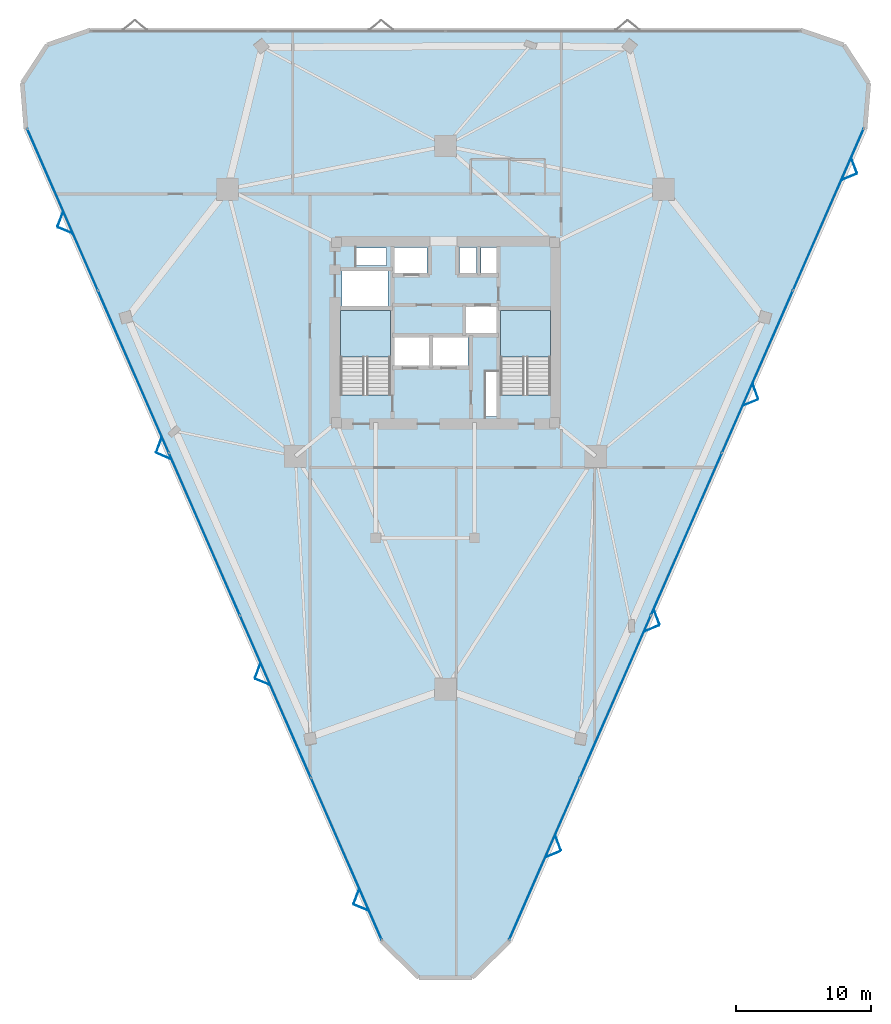
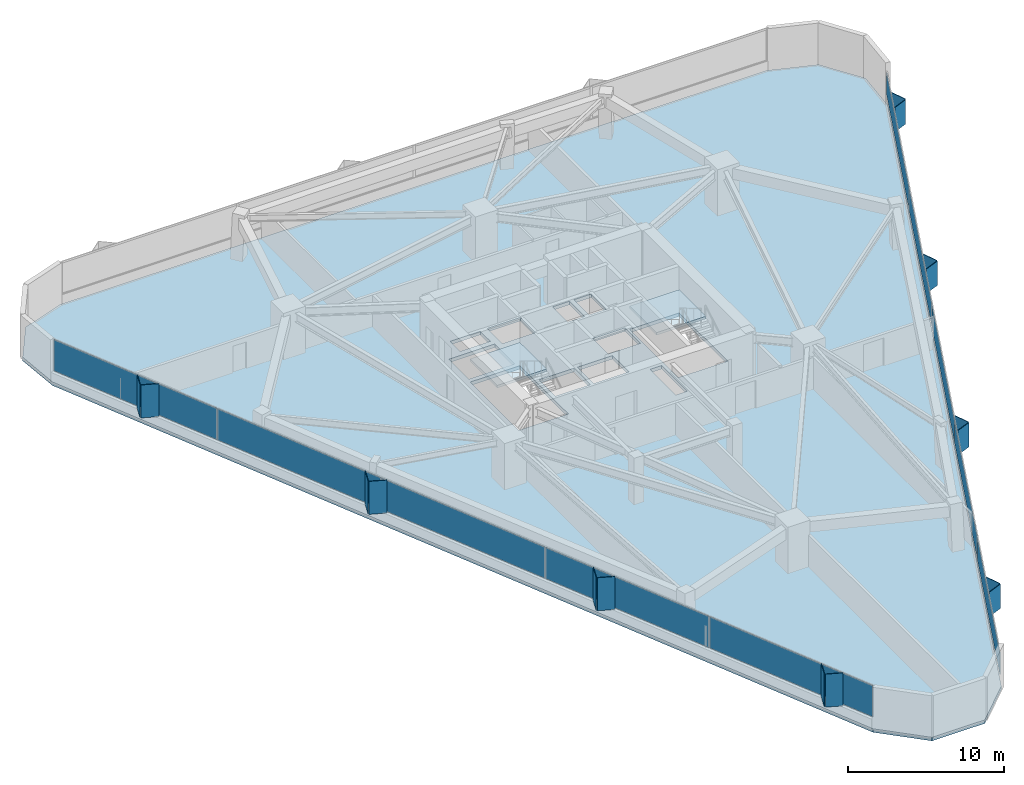
# One storey, part 12 of 17: 26 plates, 3 slabs, 4 elements without a shape of their own.
"""IFC4 building model written with IfcOpenShell, lengths in metres."""

import ifcopenshell
import ifcopenshell.guid

model = None  # the IFC model being written
_history = None  # IfcOwnerHistory: only IFC2X3 demands one
_inside = {}  # id of a spatial element -> (the spatial element, [elements in it])
_under = {}  # id of a project, library or spatial element -> (it, [spatial elements below it])
_declared = {}  # id of a project -> (the project, [libraries it declares])
_typed = {}  # id of a type object -> (the type object, [elements of that type])
_made_of = {}  # id of a material, layer set ... -> (it, [elements and type objects made of it])


def new_model(schema):
    """Start an empty IFC model of exactly this schema.

    Asked for "IFC4X3", IfcOpenShell would pick the latest addendum, in which some entities
    have other attributes; the version numbers below select the first issue.
    IFC2X3 requires an IfcOwnerHistory on every rooted entity: one is made here for all.
    """
    global model, _history
    if schema == "IFC4X3":
        model = ifcopenshell.file(schema_version=(4, 3, 0, 0))
    else:
        model = ifcopenshell.file(schema=schema)
    _inside.clear()
    _under.clear()
    _declared.clear()
    _typed.clear()
    _made_of.clear()
    _history = None
    if model.schema == "IFC2X3":
        org = make("IfcOrganization", Name="unknown")
        user = make(
            "IfcPersonAndOrganization",
            ThePerson=make("IfcPerson", FamilyName="unknown"),
            TheOrganization=org,
        )
        app = make(
            "IfcApplication",
            ApplicationDeveloper=org,
            Version="unknown",
            ApplicationFullName="unknown",
            ApplicationIdentifier="unknown",
        )
        _history = make(
            "IfcOwnerHistory",
            OwningUser=user,
            OwningApplication=app,
            ChangeAction="ADDED",
            CreationDate=0,
        )
    return model


def make(cls, **values):
    """One entity of the class cls with the attributes given. An attribute that is None is left unset."""
    return model.create_entity(
        cls, **{name: value for name, value in values.items() if value is not None}
    )


def rooted(cls, **values):
    """An entity with a GlobalId (a new one), such as an element, a storey or a relation."""
    return make(cls, GlobalId=ifcopenshell.guid.new(), OwnerHistory=_history, **values)


def si_unit(unit_type, name, prefix=None):
    """IfcSIUnit, for example si_unit("LENGTHUNIT", "METRE", prefix="MILLI")."""
    return make("IfcSIUnit", UnitType=unit_type, Prefix=prefix, Name=name)


def assignment(units):
    """IfcUnitAssignment: the units of a project."""
    return None if units is None else make("IfcUnitAssignment", Units=units)


def point(xyz):
    """IfcCartesianPoint."""
    return None if xyz is None else make("IfcCartesianPoint", Coordinates=xyz)


def direction(xyz):
    """IfcDirection."""
    return None if xyz is None else make("IfcDirection", DirectionRatios=xyz)


def frame(location, z_axis=None, x_axis=None):
    """IfcAxis2Placement3D, a coordinate frame: its origin and axes. An axis left out is left unset."""
    return make(
        "IfcAxis2Placement3D",
        Location=point(location),
        Axis=direction(z_axis),
        RefDirection=direction(x_axis),
    )


def frame_2d(location, x_axis=None):
    """IfcAxis2Placement2D, a coordinate frame in the plane: its origin and x axis."""
    return make(
        "IfcAxis2Placement2D", Location=point(location), RefDirection=direction(x_axis)
    )


def origin():
    """The frame at (0, 0, 0) with its axes left unset."""
    return frame((0.0, 0.0, 0.0))


def origin_2d():
    """The frame at (0, 0) in the plane with its x axis left unset."""
    return frame_2d((0.0, 0.0))


def place(relative_to, where):
    """IfcLocalPlacement: puts the frame where relative to a parent placement (None: the world)."""
    return make(
        "IfcLocalPlacement", PlacementRelTo=relative_to, RelativePlacement=where
    )


def context(
    kind, dimensions, precision=None, world=None, true_north=None, identifier=None
):
    """IfcGeometricRepresentationContext, for example the 3D "Model" context."""
    return make(
        "IfcGeometricRepresentationContext",
        ContextIdentifier=identifier,
        ContextType=kind,
        CoordinateSpaceDimension=dimensions,
        Precision=precision,
        WorldCoordinateSystem=world,
        TrueNorth=true_north,
    )


def subcontext(parent, identifier, kind, view, scale=None):
    """IfcGeometricRepresentationSubContext, for example "Body" below "Model"."""
    return make(
        "IfcGeometricRepresentationSubContext",
        ContextIdentifier=identifier,
        ContextType=kind,
        ParentContext=parent,
        TargetScale=scale,
        TargetView=view,
    )


def project(units=None, contexts=None):
    """IfcProject with its units and contexts."""
    return rooted(
        "IfcProject",
        Name="project",
        RepresentationContexts=contexts,
        UnitsInContext=assignment(units),
    )


def spatial(cls, under=None, at=None, **own):
    """A site, building, storey or space (cls), placed at a placement, below another one or the project."""
    s = rooted(cls, ObjectPlacement=at, **own)
    if under is not None:
        _under.setdefault(under.id(), (under, []))[1].append(s)
    return s


def polyline(points):
    """IfcPolyline through the points."""
    return make("IfcPolyline", Points=[point(p) for p in points])


def profile(cls, at=None, kind="AREA", **sizes):
    """A parametric profile (cls). Its sizes go by their IFC names, for example OverallWidth=200.0."""
    return make(cls, ProfileType=kind, Position=at, **sizes)


def rectangle(**sizes):
    """IfcRectangleProfileDef."""
    return profile("IfcRectangleProfileDef", **sizes)


def outline(outer, holes=None, kind="AREA"):
    """IfcArbitraryClosedProfileDef: a profile drawn as a closed curve; with holes, ...WithVoids."""
    if holes is None:
        return make("IfcArbitraryClosedProfileDef", ProfileType=kind, OuterCurve=outer)
    return make(
        "IfcArbitraryProfileDefWithVoids",
        ProfileType=kind,
        OuterCurve=outer,
        InnerCurves=holes,
    )


def extrude(swept, where, along, depth):
    """IfcExtrudedAreaSolid: the profile swept, set in the frame where, extruded along a direction by depth."""
    return make(
        "IfcExtrudedAreaSolid",
        SweptArea=swept,
        Position=where,
        ExtrudedDirection=direction(along),
        Depth=depth,
    )


def shape(context_of_items, identifier, shape_type, items):
    """IfcShapeRepresentation: the items that make up one representation, for example the "Body"."""
    return make(
        "IfcShapeRepresentation",
        ContextOfItems=context_of_items,
        RepresentationIdentifier=identifier,
        RepresentationType=shape_type,
        Items=items,
    )


def material(Name=None, Category=None):
    """IfcMaterial."""
    return make("IfcMaterial", Name=Name, Category=Category)


def layer(
    of_material, thickness, ventilated=None, Name=None, Category=None, Priority=None
):
    """IfcMaterialLayer: one layer of a wall or slab, of a material (None: an air gap)."""
    return make(
        "IfcMaterialLayer",
        Material=of_material,
        LayerThickness=thickness,
        IsVentilated=ventilated,
        Name=Name,
        Category=Category,
        Priority=Priority,
    )


def layer_set(layers, Name=None):
    """IfcMaterialLayerSet."""
    return make("IfcMaterialLayerSet", MaterialLayers=layers, LayerSetName=Name)


def made_of(thing, what):
    """Note that an element or type object is made of a material, layer set ...; save() writes the relation."""
    if what is not None:
        _made_of.setdefault(what.id(), (what, []))[1].append(thing)
    return thing


def type_object(cls, material=None, **own):
    """A type object (cls), such as IfcWallType, which elements share."""
    return made_of(rooted(cls, **own), material)


def element(
    cls,
    number,
    at=None,
    inside=None,
    cuts=None,
    type_object=None,
    material=None,
    context=None,
    identifier="Body",
    shape_type=None,
    held_by="IfcProductDefinitionShape",
    body=None,
    shapes=None,
    **own,
):
    """One element of the class cls, such as IfcWall. Its Tag is "e" and its number.

    at: its placement. inside: the storey or other place that contains it. cuts: it is an
    opening in that element (IfcRelVoidsElement). A single representation is given by context,
    identifier, shape_type and body (its items); several are given by shapes. held_by: the class
    of the entity that holds the representations. save() writes the other relations.
    """
    e = rooted(cls, Tag="e%d" % number, ObjectPlacement=at, **own)
    if body is not None:
        shapes = [shape(context, identifier, shape_type, body)]
    if shapes is not None:
        e.Representation = make(held_by, Representations=shapes)
    if inside is not None:
        _inside.setdefault(inside.id(), (inside, []))[1].append(e)
    if cuts is not None:
        rooted(
            "IfcRelVoidsElement", RelatingBuildingElement=cuts, RelatedOpeningElement=e
        )
    if type_object is not None:
        _typed.setdefault(type_object.id(), (type_object, []))[1].append(e)
    return made_of(e, material)


def aggregate(whole, parts):
    """IfcRelAggregates: a whole, such as a stair, and the parts it consists of."""
    return rooted("IfcRelAggregates", RelatingObject=whole, RelatedObjects=parts)


def save(model, path):
    """Write the relations noted so far, then the file.

    IfcRelAggregates (storeys below a building ...), IfcRelContainedInSpatialStructure (elements
    in a storey), IfcRelDefinesByType, IfcRelAssociatesMaterial and IfcRelDeclares: one each for
    every whole, place, type object, material and project.
    """
    for whole, parts in _under.values():
        aggregate(whole, parts)
    for where, things in _inside.values():
        rooted(
            "IfcRelContainedInSpatialStructure",
            RelatedElements=things,
            RelatingStructure=where,
        )
    for kind, things in _typed.values():
        rooted("IfcRelDefinesByType", RelatedObjects=things, RelatingType=kind)
    for what, things in _made_of.values():
        rooted("IfcRelAssociatesMaterial", RelatedObjects=things, RelatingMaterial=what)
    for by, libraries in _declared.values():
        rooted("IfcRelDeclares", RelatingContext=by, RelatedDefinitions=libraries)
    model.write(path)


model = new_model("IFC4")

# Units and contexts
model_context = context("Model", 3, precision=1e-05, world=origin(), true_north=direction((0.0, 1.0)))
body_context = subcontext(model_context, "Body", "Model", "MODEL_VIEW")
ifc_project = project(units=[si_unit("LENGTHUNIT", "METRE"), si_unit("AREAUNIT", "SQUARE_METRE"), si_unit("VOLUMEUNIT", "CUBIC_METRE"), si_unit("PLANEANGLEUNIT", "RADIAN"), si_unit("MASSUNIT", "GRAM", prefix="KILO")], contexts=[model_context])

# Site, building, storey
site_placement = place(None, origin())
site = spatial("IfcSite", under=ifc_project, at=site_placement, CompositionType="ELEMENT")
building_placement = place(site_placement, origin())
building = spatial("IfcBuilding", under=site, at=building_placement, Name="Talyreon Biosciences Tower", CompositionType="ELEMENT")
storey_placement = place(building_placement, frame((0.0, 0.0, 93.25)))
storey = spatial("IfcBuildingStorey", under=building, at=storey_placement, Name="L24", CompositionType="ELEMENT", Elevation=93.25)

# Curtain wall, plates
ifc_material_1 = material(Name="Thermally broken aluminium and low-E glazing", Category="aluminium")
ifc_layer_1 = layer(ifc_material_1, 0.18994140625)
ifc_layer_set_1 = layer_set([ifc_layer_1], Name="Thermally broken aluminium and low-E glazing")
curtain_wall_type = type_object("IfcCurtainWallType", Name="CurtainWall_Zone2Genomics", PredefinedType="NOTDEFINED", material=ifc_layer_set_1)
curtain_wall_1_placement = place(storey_placement, origin())
curtain_wall_1 = element("IfcCurtainWall", 1, at=curtain_wall_1_placement, inside=storey, type_object=curtain_wall_type, Name="L24 Unitised Curtain Wall FCW-L24-00", PredefinedType="NOTDEFINED")
ifc_material_2 = material(Name="Triple-silver low-E insulated glazing", Category="glass")
ifc_layer_2 = layer(ifc_material_2, 0.031982421875)
ifc_layer_set_2 = layer_set([ifc_layer_2], Name="Triple-silver low-E insulated glazing")
plate_type_1 = type_object("IfcPlateType", Name="CWGlazingPanel_32", PredefinedType="CURTAIN_PANEL", material=ifc_layer_set_2)
plate_1_placement = place(storey_placement, frame((58.68017578125, 29.13623046875, 0.875), z_axis=(0.0, 0.0, 1.0), x_axis=(-0.400542414041, 0.916278218967, 0.0)))
plate_1 = element("IfcPlate", 2, at=plate_1_placement, type_object=plate_type_1, Name="CW3 panel 1.1", PredefinedType="CURTAIN_PANEL", context=body_context, shape_type="SweptSolid", body=[
    extrude(rectangle(XDim=12.994384765625, YDim=0.031982421875, at=origin_2d()), origin(), (0.0, 0.0, 1.0), 2.43505859375),
])
plate_2_placement = place(storey_placement, frame((53.44287109375, 41.1171875, 0.875), z_axis=(0.0, 0.0, 1.0), x_axis=(-0.400542414041, 0.916278218967, 0.0)))
plate_2 = element("IfcPlate", 3, at=plate_2_placement, type_object=plate_type_1, Name="CW3 panel 2.1", PredefinedType="CURTAIN_PANEL", context=body_context, shape_type="SweptSolid", body=[
    extrude(rectangle(XDim=13.02685546875, YDim=0.031982421875, at=origin_2d()), origin(), (0.0, 0.0, 1.0), 2.43505859375),
])
plate_3_placement = place(storey_placement, frame((48.198974609375, 53.113037109375, 0.875), z_axis=(0.0, 0.0, 1.0), x_axis=(-0.400542414041, 0.916278218967, 0.0)))
plate_3 = element("IfcPlate", 4, at=plate_3_placement, type_object=plate_type_1, Name="CW3 panel 3.1", PredefinedType="CURTAIN_PANEL", context=body_context, shape_type="SweptSolid", body=[
    extrude(rectangle(XDim=13.02685546875, YDim=0.031982421875, at=origin_2d()), origin(), (0.0, 0.0, 1.0), 2.43505859375),
])
plate_4_placement = place(storey_placement, frame((42.955078125, 65.10888671875, 0.875), z_axis=(0.0, 0.0, 1.0), x_axis=(-0.400542414041, 0.916278218967, 0.0)))
plate_4 = element("IfcPlate", 5, at=plate_4_placement, type_object=plate_type_1, Name="CW3 panel 4.1", PredefinedType="CURTAIN_PANEL", context=body_context, shape_type="SweptSolid", body=[
    extrude(rectangle(XDim=13.02685546875, YDim=0.031982421875, at=origin_2d()), origin(), (0.0, 0.0, 1.0), 2.43505859375),
])
plate_5_placement = place(storey_placement, frame((37.7177734375, 77.08984375, 0.875), z_axis=(0.0, 0.0, 1.0), x_axis=(-0.400542414041, 0.916278218967, 0.0)))
plate_5 = element("IfcPlate", 6, at=plate_5_placement, type_object=plate_type_1, Name="CW3 panel 5.1", PredefinedType="CURTAIN_PANEL", context=body_context, shape_type="SweptSolid", body=[
    extrude(rectangle(XDim=12.994384765625, YDim=0.031982421875, at=origin_2d()), origin(), (0.0, 0.0, 1.0), 2.43505859375),
])
aggregate(curtain_wall_1, [plate_1, plate_2, plate_3, plate_4, plate_5])

curtain_wall_2_placement = place(storey_placement, origin())
curtain_wall_2 = element("IfcCurtainWall", 7, at=curtain_wall_2_placement, inside=storey, type_object=curtain_wall_type, Name="L24 Unitised Curtain Wall FCW-L24-08", PredefinedType="NOTDEFINED")
plate_6_placement = place(storey_placement, frame((94.2822265625, 77.08984375, 0.875), z_axis=(0.0, 0.0, 1.0), x_axis=(-0.400542414041, -0.916278218967, 0.0)))
plate_6 = element("IfcPlate", 8, at=plate_6_placement, type_object=plate_type_1, Name="CW3 panel 1.1", PredefinedType="CURTAIN_PANEL", context=body_context, shape_type="SweptSolid", body=[
    extrude(rectangle(XDim=12.994384765625, YDim=0.031982421875, at=origin_2d()), origin(), (0.0, 0.0, 1.0), 1.760009765625),
])
plate_7_placement = place(storey_placement, frame((89.044921875, 65.10888671875, 0.875), z_axis=(0.0, 0.0, 1.0), x_axis=(-0.400542414041, -0.916278218967, 0.0)))
plate_7 = element("IfcPlate", 9, at=plate_7_placement, type_object=plate_type_1, Name="CW3 panel 2.1", PredefinedType="CURTAIN_PANEL", context=body_context, shape_type="SweptSolid", body=[
    extrude(rectangle(XDim=13.02685546875, YDim=0.031982421875, at=origin_2d()), origin(), (0.0, 0.0, 1.0), 1.760009765625),
])
plate_8_placement = place(storey_placement, frame((83.801025390625, 53.113037109375, 0.875), z_axis=(0.0, 0.0, 1.0), x_axis=(-0.400542414041, -0.916278218967, 0.0)))
plate_8 = element("IfcPlate", 10, at=plate_8_placement, type_object=plate_type_1, Name="CW3 panel 3.1", PredefinedType="CURTAIN_PANEL", context=body_context, shape_type="SweptSolid", body=[
    extrude(rectangle(XDim=13.02685546875, YDim=0.031982421875, at=origin_2d()), origin(), (0.0, 0.0, 1.0), 1.760009765625),
])
plate_9_placement = place(storey_placement, frame((78.55712890625, 41.1171875, 0.875), z_axis=(0.0, 0.0, 1.0), x_axis=(-0.400542414041, -0.916278218967, 0.0)))
plate_9 = element("IfcPlate", 11, at=plate_9_placement, type_object=plate_type_1, Name="CW3 panel 4.1", PredefinedType="CURTAIN_PANEL", context=body_context, shape_type="SweptSolid", body=[
    extrude(rectangle(XDim=13.02685546875, YDim=0.031982421875, at=origin_2d()), origin(), (0.0, 0.0, 1.0), 1.760009765625),
])
plate_10_placement = place(storey_placement, frame((73.31982421875, 29.13623046875, 0.875), z_axis=(0.0, 0.0, 1.0), x_axis=(-0.400542414041, -0.916278218967, 0.0)))
plate_10 = element("IfcPlate", 12, at=plate_10_placement, type_object=plate_type_1, Name="CW3 panel 5.1", PredefinedType="CURTAIN_PANEL", context=body_context, shape_type="SweptSolid", body=[
    extrude(rectangle(XDim=12.994384765625, YDim=0.031982421875, at=origin_2d()), origin(), (0.0, 0.0, 1.0), 1.760009765625),
])
aggregate(curtain_wall_2, [plate_6, plate_7, plate_8, plate_9, plate_10])

# Plates
ifc_material_3 = material(Name="Ivory GFRC sunshade panel", Category="concrete")
ifc_layer_3 = layer(ifc_material_3, 0.044921875)
ifc_layer_set_3 = layer_set([ifc_layer_3], Name="Ivory GFRC sunshade panel")
plate_type_2 = type_object("IfcPlateType", Name="FoldedVSunshade_SunFace_SUNSHADE", PredefinedType="USERDEFINED", material=ifc_layer_set_3)
for number, where, z_axis, x_axis, name in (
    (13, (59.77587890625, 25.53125, 0.7900390625), (0.0, 0.0, 1.0), (-0.924625824527, 0.380876731525, 0.0), "L24 Folded V-Sunshade Panel 00.01L"),
    (14, (59.41552734375, 26.35595703125, 0.7900390625), (0.0, 0.0, 1.0), (0.348375735797, 0.937354973693, 0.0), "L24 Folded V-Sunshade Panel 00.01R"),
    (15, (52.486083984375, 42.20751953125, 0.7900390625), (0.0, 0.0, 1.0), (-0.924625824527, 0.380876731525, 0.0), "L24 Folded V-Sunshade Panel 00.02L"),
    (16, (52.125732421875, 43.031982421875, 0.7900390625), (0.0, 0.0, 1.0), (0.348375735797, 0.937354973693, 0.0), "L24 Folded V-Sunshade Panel 00.02R"),
    (17, (45.1962890625, 58.8837890625, 0.7900390625), (0.0, 0.0, 1.0), (-0.924625824527, 0.380876731525, 0.0), "L24 Folded V-Sunshade Panel 00.03L"),
    (18, (44.835693359375, 59.70849609375, 0.7900390625), (0.0, 0.0, 1.0), (0.348375735797, 0.937354973693, 0.0), "L24 Folded V-Sunshade Panel 00.03R"),
    (19, (37.906494140625, 75.56005859375, 0.7900390625), (0.0, 0.0, 1.0), (-0.924625824527, 0.380876731525, 0.0), "L24 Folded V-Sunshade Panel 00.04L"),
    (20, (37.5458984375, 76.384765625, 0.7900390625), (0.0, 0.0, 1.0), (0.348375735797, 0.937354973693, 0.0), "L24 Folded V-Sunshade Panel 00.04R"),
):
    element("IfcPlate", number, at=place(storey_placement, frame(where, z_axis=z_axis, x_axis=x_axis)), inside=storey, type_object=plate_type_2, Name=name, ObjectType="SUNSHADE", PredefinedType="USERDEFINED", context=body_context, shape_type="SweptSolid", body=[
        extrude(rectangle(XDim=1.14990234375, YDim=0.044921875, at=origin_2d()), origin(), (0.0, 0.0, 1.0), 2.5849609375),
    ])
for number, where, z_axis, x_axis, name in (
    (21, (96.18408203125, 80.342529296875, 0.7900390625), (0.0, 0.0, 1.0), (0.348375735797, -0.937354973693, 0.0), "L24 Folded V-Sunshade Panel 08.01L"),
    (22, (95.82373046875, 79.517822265625, 0.7900390625), (0.0, 0.0, 1.0), (-0.924625824527, -0.380876731525, 0.0), "L24 Folded V-Sunshade Panel 08.01R"),
    (23, (88.894287109375, 63.666259765625, 0.7900390625), (0.0, 0.0, 1.0), (0.348375735797, -0.937354973693, 0.0), "L24 Folded V-Sunshade Panel 08.02L"),
    (24, (88.533935546875, 62.841552734375, 0.7900390625), (0.0, 0.0, 1.0), (-0.924625824527, -0.380876731525, 0.0), "L24 Folded V-Sunshade Panel 08.02R"),
    (25, (81.6044921875, 46.989990234375, 0.7900390625), (0.0, 0.0, 1.0), (0.348375735797, -0.937354973693, 0.0), "L24 Folded V-Sunshade Panel 08.03L"),
    (26, (81.243896484375, 46.165283203125, 0.7900390625), (0.0, 0.0, 1.0), (-0.924625824527, -0.380876731525, 0.0), "L24 Folded V-Sunshade Panel 08.03R"),
    (27, (74.314697265625, 30.313720703125, 0.7900390625), (0.0, 0.0, 1.0), (0.348375735797, -0.937354973693, 0.0), "L24 Folded V-Sunshade Panel 08.04L"),
    (28, (73.9541015625, 29.489013671875, 0.7900390625), (0.0, 0.0, 1.0), (-0.924625824527, -0.380876731525, 0.0), "L24 Folded V-Sunshade Panel 08.04R"),
):
    element("IfcPlate", number, at=place(storey_placement, frame(where, z_axis=z_axis, x_axis=x_axis)), inside=storey, type_object=plate_type_2, Name=name, ObjectType="SUNSHADE", PredefinedType="USERDEFINED", context=body_context, shape_type="SweptSolid", body=[
        extrude(rectangle(XDim=1.14990234375, YDim=0.044921875, at=origin_2d()), origin(), (0.0, 0.0, 1.0), 1.909912109375),
    ])

# Stair, slab
ifc_material_4 = material(Name="Concrete C40/50", Category="concrete")
stair_type = type_object("IfcStairType", Name="DoglegEscapeStair_3650", PredefinedType="HALF_TURN_STAIR", material=ifc_material_4)
stair_1_placement = place(storey_placement, origin())
stair_1 = element("IfcStair", 29, at=stair_1_placement, inside=storey, type_object=stair_type, Name="L24 Core Escape Stair 1", PredefinedType="HALF_TURN_STAIR")
ifc_layer_4 = layer(ifc_material_4, 0.199951171875)
ifc_layer_set_4 = layer_set([ifc_layer_4], Name="Concrete C40/50")
slab_type_1 = type_object("IfcSlabType", Name="StairLandingSlab_200", PredefinedType="LANDING", material=ifc_layer_set_4)
slab_1_placement = place(storey_placement, frame((0.0, 0.0, 1.625)))
slab_1 = element("IfcSlab", 30, at=slab_1_placement, type_object=slab_type_1, Name="ST-1 landing 1", PredefinedType="LANDING", context=body_context, shape_type="SweptSolid", body=[
    extrude(outline(polyline([(61.929931640625, 66.199951171875), (61.929931640625, 69.64990234375), (58.25, 69.64990234375), (58.25, 66.199951171875), (61.929931640625, 66.199951171875)])), origin(), (0.0, 0.0, 1.0), 0.199951171875),
])
aggregate(stair_1, [slab_1])

stair_2_placement = place(storey_placement, origin())
stair_2 = element("IfcStair", 31, at=stair_2_placement, inside=storey, type_object=stair_type, Name="L24 Core Escape Stair 2", PredefinedType="HALF_TURN_STAIR")
slab_2_placement = place(storey_placement, frame((0.0, 0.0, 1.625)))
slab_2 = element("IfcSlab", 32, at=slab_2_placement, type_object=slab_type_1, Name="ST-2 landing 1", PredefinedType="LANDING", context=body_context, shape_type="SweptSolid", body=[
    extrude(outline(polyline([(73.75, 66.199951171875), (73.75, 69.64990234375), (70.070068359375, 69.64990234375), (70.070068359375, 66.199951171875), (73.75, 66.199951171875)])), origin(), (0.0, 0.0, 1.0), 0.199951171875),
])
aggregate(stair_2, [slab_2])

# Slab
ifc_layer_5 = layer(ifc_material_4, 0.27490234375)
ifc_layer_set_5 = layer_set([ifc_layer_5], Name="Concrete C40/50")
slab_type_2 = type_object("IfcSlabType", Name="WetLabFloorSlab_275", PredefinedType="FLOOR", material=ifc_layer_set_5)
slab_3_placement = place(storey_placement, frame((0.0, 0.0, -0.27490234375)))
element("IfcSlab", 33, at=slab_3_placement, inside=storey, type_object=slab_type_2, Name="L24 Structural Floor Slab", PredefinedType="FLOOR", context=body_context, shape_type="SweptSolid", body=[
    extrude(outline(polyline([(61.2353515625, 23.091552734375), (35.01611328125, 83.070556640625), (34.740966796875, 86.43408203125), (36.588623046875, 89.25830078125), (39.78076171875, 90.353515625), (92.21923828125, 90.353515625), (95.411376953125, 89.25830078125), (97.259033203125, 86.43408203125), (96.98388671875, 83.070556640625), (70.7646484375, 23.091552734375), (67.958740234375, 20.357421875), (64.041259765625, 20.357421875), (61.2353515625, 23.091552734375)]), holes=[polyline([(61.929931640625, 69.64990234375), (61.929931640625, 63.407958984375), (58.25, 63.407958984375), (58.25, 69.64990234375), (61.929931640625, 69.64990234375)]), polyline([(64.800048828125, 67.64990234375), (64.800048828125, 65.550048828125), (62.199951171875, 65.550048828125), (62.199951171875, 67.64990234375), (64.800048828125, 67.64990234375)]), polyline([(67.64990234375, 67.64990234375), (67.64990234375, 65.550048828125), (65.050048828125, 65.550048828125), (65.050048828125, 67.64990234375), (67.64990234375, 67.64990234375)]), polyline([(61.75, 69.97998046875), (58.35009765625, 69.97998046875), (58.35009765625, 72.550048828125), (61.75, 72.550048828125), (61.75, 69.97998046875)]), polyline([(64.64990234375, 72.35009765625), (62.199951171875, 72.35009765625), (62.199951171875, 74.300048828125), (64.64990234375, 74.300048828125), (64.64990234375, 72.35009765625)]), polyline([(61.64990234375, 74.25), (61.64990234375, 72.9599609375), (59.39990234375, 72.9599609375), (59.39990234375, 74.25), (61.64990234375, 74.25)]), polyline([(69.820068359375, 61.800048828125), (68.9599609375, 61.800048828125), (68.9599609375, 65.10009765625), (69.820068359375, 65.10009765625), (69.820068359375, 61.800048828125)]), polyline([(73.75, 63.407958984375), (70.070068359375, 63.407958984375), (70.070068359375, 69.64990234375), (73.75, 69.64990234375), (73.75, 63.407958984375)]), polyline([(69.89990234375, 69.949951171875), (69.89990234375, 67.949951171875), (67.5, 67.949951171875), (67.5, 69.949951171875), (69.89990234375, 69.949951171875)]), polyline([(68.300048828125, 72.35009765625), (67.050048828125, 72.35009765625), (67.050048828125, 74.300048828125), (68.300048828125, 74.300048828125), (68.300048828125, 72.35009765625)]), polyline([(69.919921875, 72.35009765625), (68.6201171875, 72.35009765625), (68.6201171875, 74.300048828125), (69.919921875, 74.300048828125), (69.919921875, 72.35009765625)])]), origin(), (0.0, 0.0, 1.0), 0.27490234375),
])

save(model, "model.ifc")
